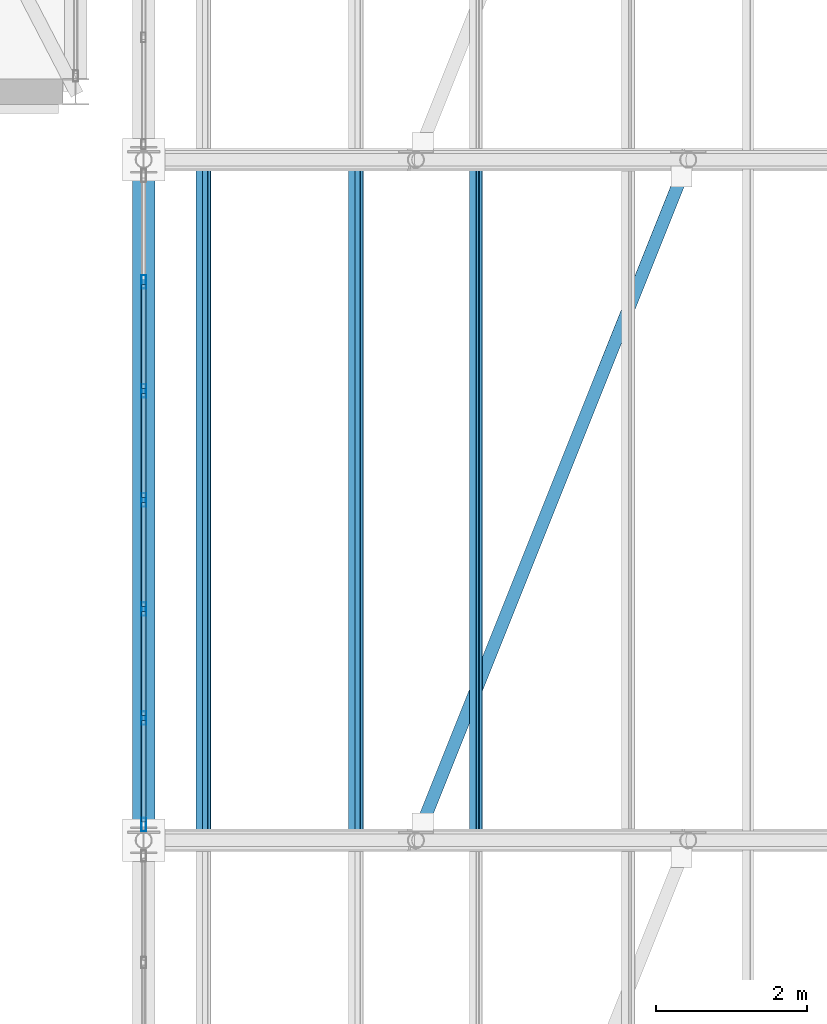
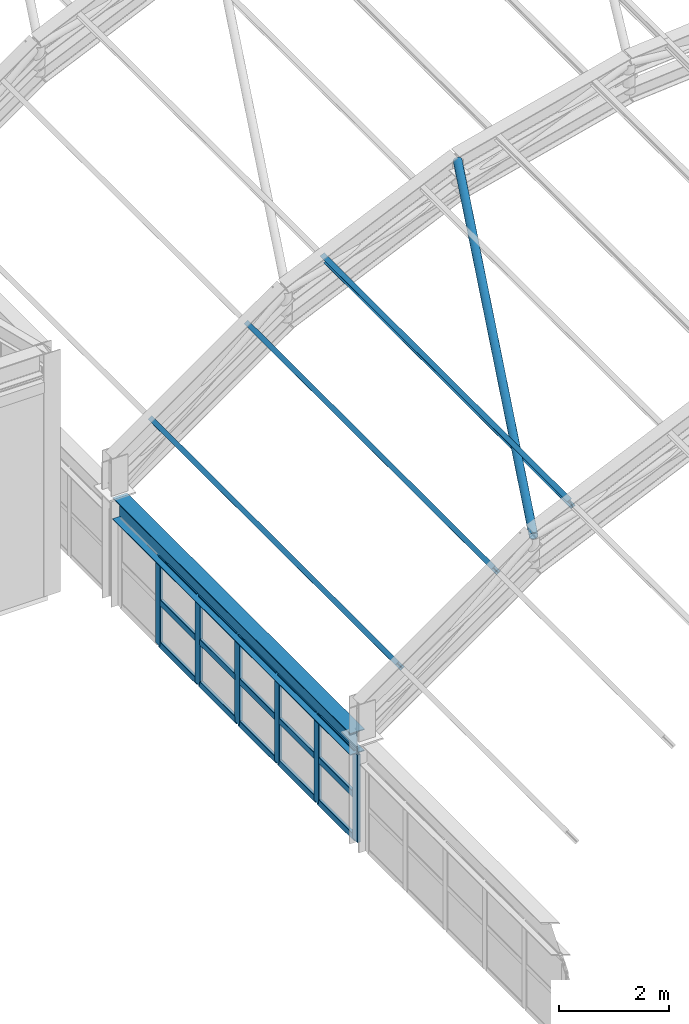
# One storey, part 46 of 121: 25 members, 1 beam, 1 element without a shape of its own.
"""IFC4 building model written with IfcOpenShell, lengths in metres."""

from ifc_helpers import new_model, si_unit, direction, frame, origin, origin_2d, place, context, subcontext, project, spatial, hollow_rectangle, hollow_circle, i_section, extrude, material, material_profile, profile_set, type_object, element, aggregate, save


model = new_model("IFC4")

# Units and contexts
model_context = context("Model", 3, precision=1e-05, world=origin(), true_north=direction((0.0, 1.0)))
body_context = subcontext(model_context, "Body", "Model", "MODEL_VIEW")
ifc_project = project(units=[si_unit("LENGTHUNIT", "METRE"), si_unit("AREAUNIT", "SQUARE_METRE"), si_unit("VOLUMEUNIT", "CUBIC_METRE"), si_unit("PLANEANGLEUNIT", "RADIAN"), si_unit("MASSUNIT", "GRAM", prefix="KILO")], contexts=[model_context])

# Site, building, storey
site_placement = place(None, origin())
site = spatial("IfcSite", under=ifc_project, at=site_placement, CompositionType="ELEMENT")
building_placement = place(site_placement, origin())
building = spatial("IfcBuilding", under=site, at=building_placement, Name="Canglan Escarpment Cableway Terminal", CompositionType="ELEMENT")
storey_placement = place(building_placement, frame((0.0, 0.0, 24.60009765625)))
storey = spatial("IfcBuildingStorey", under=building, at=storey_placement, Name="L05", CompositionType="ELEMENT", Elevation=24.60009765625)

# Beam
ifc_material_1 = material(Name="Steel Q355B", Category="steel")
ifc_material_profile_1 = material_profile(ifc_material_1, i_section(OverallWidth=0.300048828125, OverallDepth=0.488037109375, WebThickness=0.010986328125, FlangeThickness=0.01806640625, FilletRadius=0.02587890625, at=origin_2d()), Name="HM 488x300x11x18")
ifc_profile_set_1 = profile_set([ifc_material_profile_1], Name="Steel Q355B")
beam_type = type_object("IfcBeamType", Name="BM-HM488", PredefinedType="BEAM", material=ifc_profile_set_1)
beam_placement = place(storey_placement, frame((137.60009765625, 79.175048828125, 2.1884765625), z_axis=(0.0, 1.0, 0.0), x_axis=(-1.0, 0.0, 0.0)))
element("IfcBeam", 1, at=beam_placement, inside=storey, type_object=beam_type, Name="Vault springing ring girder B-09", PredefinedType="BEAM", context=body_context, shape_type="SweptSolid", body=[
    extrude(i_section(OverallWidth=0.300048828125, OverallDepth=0.488037109375, WebThickness=0.010986328125, FlangeThickness=0.01806640625, FilletRadius=0.02587890625, at=origin_2d()), origin(), (0.0, 0.0, 1.0), 8.64990234375),
])

# Curtain wall, members
ifc_material_2 = material(Name="Anodized bronze aluminium and Low-E double glazing", Category="aluminium")
curtain_wall_type = type_object("IfcCurtainWallType", Name="CW-BAY-8650x1950", PredefinedType="NOTDEFINED", material=ifc_material_2)
curtain_wall_placement = place(storey_placement, origin())
curtain_wall = element("IfcCurtainWall", 2, at=curtain_wall_placement, inside=storey, type_object=curtain_wall_type, Name="Classical bay-between-piers glazed curtain wall CW-66", PredefinedType="NOTDEFINED")
ifc_material_3 = material(Name="Thermally broken anodized aluminium 6063-T6", Category="aluminium")
ifc_material_profile_2 = material_profile(ifc_material_3, hollow_rectangle(XDim=0.06494140625, YDim=0.179931640625, WallThickness=0.00390625, InnerFilletRadius=0.00390625, OuterFilletRadius=0.008056640625, at=origin_2d()), Name="ALU-MULL 65x180x4")
ifc_profile_set_2 = profile_set([ifc_material_profile_2], Name="Thermally broken anodized aluminium 6063-T6")
member_type_1 = type_object("IfcMemberType", Name="CWM-03", PredefinedType="MULLION", material=ifc_profile_set_2)
member_1_placement = place(storey_placement, frame((137.60009765625, 86.38330078125, 0.0), z_axis=(0.0, 0.0, 1.0), x_axis=(1.0, 0.0, 0.0)))
member_1 = element("IfcMember", 3, at=member_1_placement, type_object=member_type_1, Name="CW-66 mullion 2", PredefinedType="MULLION", context=body_context, shape_type="SweptSolid", body=[
    extrude(hollow_rectangle(XDim=0.06494140625, YDim=0.179931640625, WallThickness=0.00390625, InnerFilletRadius=0.00390625, OuterFilletRadius=0.008056640625, at=origin_2d()), origin(), (0.0, 0.0, 1.0), 1.949951171875),
])
member_2_placement = place(storey_placement, frame((137.60009765625, 84.941650390625, 0.0), z_axis=(0.0, 0.0, 1.0), x_axis=(1.0, 0.0, 0.0)))
member_2 = element("IfcMember", 4, at=member_2_placement, type_object=member_type_1, Name="CW-66 mullion 3", PredefinedType="MULLION", context=body_context, shape_type="SweptSolid", body=[
    extrude(hollow_rectangle(XDim=0.06494140625, YDim=0.179931640625, WallThickness=0.00390625, InnerFilletRadius=0.00390625, OuterFilletRadius=0.008056640625, at=origin_2d()), origin(), (0.0, 0.0, 1.0), 1.949951171875),
])
member_3_placement = place(storey_placement, frame((137.60009765625, 83.5, 0.0), z_axis=(0.0, 0.0, 1.0), x_axis=(1.0, 0.0, 0.0)))
member_3 = element("IfcMember", 5, at=member_3_placement, type_object=member_type_1, Name="CW-66 mullion 4", PredefinedType="MULLION", context=body_context, shape_type="SweptSolid", body=[
    extrude(hollow_rectangle(XDim=0.06494140625, YDim=0.179931640625, WallThickness=0.00390625, InnerFilletRadius=0.00390625, OuterFilletRadius=0.008056640625, at=origin_2d()), origin(), (0.0, 0.0, 1.0), 1.949951171875),
])
member_4_placement = place(storey_placement, frame((137.60009765625, 82.058349609375, 0.0), z_axis=(0.0, 0.0, 1.0), x_axis=(1.0, 0.0, 0.0)))
member_4 = element("IfcMember", 6, at=member_4_placement, type_object=member_type_1, Name="CW-66 mullion 5", PredefinedType="MULLION", context=body_context, shape_type="SweptSolid", body=[
    extrude(hollow_rectangle(XDim=0.06494140625, YDim=0.179931640625, WallThickness=0.00390625, InnerFilletRadius=0.00390625, OuterFilletRadius=0.008056640625, at=origin_2d()), origin(), (0.0, 0.0, 1.0), 1.949951171875),
])
member_5_placement = place(storey_placement, frame((137.60009765625, 80.61669921875, 0.0), z_axis=(0.0, 0.0, 1.0), x_axis=(1.0, 0.0, 0.0)))
member_5 = element("IfcMember", 7, at=member_5_placement, type_object=member_type_1, Name="CW-66 mullion 6", PredefinedType="MULLION", context=body_context, shape_type="SweptSolid", body=[
    extrude(hollow_rectangle(XDim=0.06494140625, YDim=0.179931640625, WallThickness=0.00390625, InnerFilletRadius=0.00390625, OuterFilletRadius=0.008056640625, at=origin_2d()), origin(), (0.0, 0.0, 1.0), 1.949951171875),
])
member_6_placement = place(storey_placement, frame((137.60009765625, 79.20751953125, 0.0), z_axis=(0.0, 0.0, 1.0), x_axis=(1.0, 0.0, 0.0)))
member_6 = element("IfcMember", 8, at=member_6_placement, type_object=member_type_1, Name="CW-66 mullion 7", PredefinedType="MULLION", context=body_context, shape_type="SweptSolid", body=[
    extrude(hollow_rectangle(XDim=0.06494140625, YDim=0.179931640625, WallThickness=0.00390625, InnerFilletRadius=0.00390625, OuterFilletRadius=0.008056640625, at=origin_2d()), origin(), (0.0, 0.0, 1.0), 1.949951171875),
])
ifc_material_profile_3 = material_profile(ifc_material_3, hollow_rectangle(XDim=0.06494140625, YDim=0.139892578125, WallThickness=0.00341796875, InnerFilletRadius=0.00341796875, OuterFilletRadius=0.007080078125, at=origin_2d()), Name="ALU-TRAN 65x140x3.5")
ifc_profile_set_3 = profile_set([ifc_material_profile_3], Name="Thermally broken anodized aluminium 6063-T6")
member_type_2 = type_object("IfcMemberType", Name="CWT-03", PredefinedType="USERDEFINED", material=ifc_profile_set_3)
member_7_placement = place(storey_placement, frame((137.60009765625, 86.350830078125, 0.032470703125), z_axis=(0.0, -1.0, 0.0), x_axis=(1.0, 0.0, 0.0)))
member_7 = element("IfcMember", 9, at=member_7_placement, type_object=member_type_2, Name="CW-66 transom 2.1", ObjectType="TRANSOM", PredefinedType="USERDEFINED", context=body_context, shape_type="SweptSolid", body=[
    extrude(hollow_rectangle(XDim=0.06494140625, YDim=0.139892578125, WallThickness=0.00341796875, InnerFilletRadius=0.00341796875, OuterFilletRadius=0.007080078125, at=origin_2d()), origin(), (0.0, 0.0, 1.0), 1.376708984375),
])
member_8_placement = place(storey_placement, frame((137.60009765625, 86.350830078125, 0.974853515625), z_axis=(0.0, -1.0, 0.0), x_axis=(1.0, 0.0, 0.0)))
member_8 = element("IfcMember", 10, at=member_8_placement, type_object=member_type_2, Name="CW-66 transom 2.2", ObjectType="TRANSOM", PredefinedType="USERDEFINED", context=body_context, shape_type="SweptSolid", body=[
    extrude(hollow_rectangle(XDim=0.06494140625, YDim=0.139892578125, WallThickness=0.00341796875, InnerFilletRadius=0.00341796875, OuterFilletRadius=0.007080078125, at=origin_2d()), origin(), (0.0, 0.0, 1.0), 1.376708984375),
])
member_9_placement = place(storey_placement, frame((137.60009765625, 86.350830078125, 1.91748046875), z_axis=(0.0, -1.0, 0.0), x_axis=(1.0, 0.0, 0.0)))
member_9 = element("IfcMember", 11, at=member_9_placement, type_object=member_type_2, Name="CW-66 transom 2.3", ObjectType="TRANSOM", PredefinedType="USERDEFINED", context=body_context, shape_type="SweptSolid", body=[
    extrude(hollow_rectangle(XDim=0.06494140625, YDim=0.139892578125, WallThickness=0.00341796875, InnerFilletRadius=0.00341796875, OuterFilletRadius=0.007080078125, at=origin_2d()), origin(), (0.0, 0.0, 1.0), 1.376708984375),
])
member_10_placement = place(storey_placement, frame((137.60009765625, 84.9091796875, 0.032470703125), z_axis=(0.0, -1.0, 0.0), x_axis=(1.0, 0.0, 0.0)))
member_10 = element("IfcMember", 12, at=member_10_placement, type_object=member_type_2, Name="CW-66 transom 3.1", ObjectType="TRANSOM", PredefinedType="USERDEFINED", context=body_context, shape_type="SweptSolid", body=[
    extrude(hollow_rectangle(XDim=0.06494140625, YDim=0.139892578125, WallThickness=0.00341796875, InnerFilletRadius=0.00341796875, OuterFilletRadius=0.007080078125, at=origin_2d()), origin(), (0.0, 0.0, 1.0), 1.376708984375),
])
member_11_placement = place(storey_placement, frame((137.60009765625, 84.9091796875, 0.974853515625), z_axis=(0.0, -1.0, 0.0), x_axis=(1.0, 0.0, 0.0)))
member_11 = element("IfcMember", 13, at=member_11_placement, type_object=member_type_2, Name="CW-66 transom 3.2", ObjectType="TRANSOM", PredefinedType="USERDEFINED", context=body_context, shape_type="SweptSolid", body=[
    extrude(hollow_rectangle(XDim=0.06494140625, YDim=0.139892578125, WallThickness=0.00341796875, InnerFilletRadius=0.00341796875, OuterFilletRadius=0.007080078125, at=origin_2d()), origin(), (0.0, 0.0, 1.0), 1.376708984375),
])
member_12_placement = place(storey_placement, frame((137.60009765625, 84.9091796875, 1.91748046875), z_axis=(0.0, -1.0, 0.0), x_axis=(1.0, 0.0, 0.0)))
member_12 = element("IfcMember", 14, at=member_12_placement, type_object=member_type_2, Name="CW-66 transom 3.3", ObjectType="TRANSOM", PredefinedType="USERDEFINED", context=body_context, shape_type="SweptSolid", body=[
    extrude(hollow_rectangle(XDim=0.06494140625, YDim=0.139892578125, WallThickness=0.00341796875, InnerFilletRadius=0.00341796875, OuterFilletRadius=0.007080078125, at=origin_2d()), origin(), (0.0, 0.0, 1.0), 1.376708984375),
])
member_13_placement = place(storey_placement, frame((137.60009765625, 83.467529296875, 0.032470703125), z_axis=(0.0, -1.0, 0.0), x_axis=(1.0, 0.0, 0.0)))
member_13 = element("IfcMember", 15, at=member_13_placement, type_object=member_type_2, Name="CW-66 transom 4.1", ObjectType="TRANSOM", PredefinedType="USERDEFINED", context=body_context, shape_type="SweptSolid", body=[
    extrude(hollow_rectangle(XDim=0.06494140625, YDim=0.139892578125, WallThickness=0.00341796875, InnerFilletRadius=0.00341796875, OuterFilletRadius=0.007080078125, at=origin_2d()), origin(), (0.0, 0.0, 1.0), 1.376708984375),
])
member_14_placement = place(storey_placement, frame((137.60009765625, 83.467529296875, 0.974853515625), z_axis=(0.0, -1.0, 0.0), x_axis=(1.0, 0.0, 0.0)))
member_14 = element("IfcMember", 16, at=member_14_placement, type_object=member_type_2, Name="CW-66 transom 4.2", ObjectType="TRANSOM", PredefinedType="USERDEFINED", context=body_context, shape_type="SweptSolid", body=[
    extrude(hollow_rectangle(XDim=0.06494140625, YDim=0.139892578125, WallThickness=0.00341796875, InnerFilletRadius=0.00341796875, OuterFilletRadius=0.007080078125, at=origin_2d()), origin(), (0.0, 0.0, 1.0), 1.376708984375),
])
member_15_placement = place(storey_placement, frame((137.60009765625, 83.467529296875, 1.91748046875), z_axis=(0.0, -1.0, 0.0), x_axis=(1.0, 0.0, 0.0)))
member_15 = element("IfcMember", 17, at=member_15_placement, type_object=member_type_2, Name="CW-66 transom 4.3", ObjectType="TRANSOM", PredefinedType="USERDEFINED", context=body_context, shape_type="SweptSolid", body=[
    extrude(hollow_rectangle(XDim=0.06494140625, YDim=0.139892578125, WallThickness=0.00341796875, InnerFilletRadius=0.00341796875, OuterFilletRadius=0.007080078125, at=origin_2d()), origin(), (0.0, 0.0, 1.0), 1.376708984375),
])
member_16_placement = place(storey_placement, frame((137.60009765625, 82.02587890625, 0.032470703125), z_axis=(0.0, -1.0, 0.0), x_axis=(1.0, 0.0, 0.0)))
member_16 = element("IfcMember", 18, at=member_16_placement, type_object=member_type_2, Name="CW-66 transom 5.1", ObjectType="TRANSOM", PredefinedType="USERDEFINED", context=body_context, shape_type="SweptSolid", body=[
    extrude(hollow_rectangle(XDim=0.06494140625, YDim=0.139892578125, WallThickness=0.00341796875, InnerFilletRadius=0.00341796875, OuterFilletRadius=0.007080078125, at=origin_2d()), origin(), (0.0, 0.0, 1.0), 1.376708984375),
])
member_17_placement = place(storey_placement, frame((137.60009765625, 82.02587890625, 0.974853515625), z_axis=(0.0, -1.0, 0.0), x_axis=(1.0, 0.0, 0.0)))
member_17 = element("IfcMember", 19, at=member_17_placement, type_object=member_type_2, Name="CW-66 transom 5.2", ObjectType="TRANSOM", PredefinedType="USERDEFINED", context=body_context, shape_type="SweptSolid", body=[
    extrude(hollow_rectangle(XDim=0.06494140625, YDim=0.139892578125, WallThickness=0.00341796875, InnerFilletRadius=0.00341796875, OuterFilletRadius=0.007080078125, at=origin_2d()), origin(), (0.0, 0.0, 1.0), 1.376708984375),
])
member_18_placement = place(storey_placement, frame((137.60009765625, 82.02587890625, 1.91748046875), z_axis=(0.0, -1.0, 0.0), x_axis=(1.0, 0.0, 0.0)))
member_18 = element("IfcMember", 20, at=member_18_placement, type_object=member_type_2, Name="CW-66 transom 5.3", ObjectType="TRANSOM", PredefinedType="USERDEFINED", context=body_context, shape_type="SweptSolid", body=[
    extrude(hollow_rectangle(XDim=0.06494140625, YDim=0.139892578125, WallThickness=0.00341796875, InnerFilletRadius=0.00341796875, OuterFilletRadius=0.007080078125, at=origin_2d()), origin(), (0.0, 0.0, 1.0), 1.376708984375),
])
member_19_placement = place(storey_placement, frame((137.60009765625, 80.584228515625, 0.032470703125), z_axis=(0.0, -1.0, 0.0), x_axis=(1.0, 0.0, 0.0)))
member_19 = element("IfcMember", 21, at=member_19_placement, type_object=member_type_2, Name="CW-66 transom 6.1", ObjectType="TRANSOM", PredefinedType="USERDEFINED", context=body_context, shape_type="SweptSolid", body=[
    extrude(hollow_rectangle(XDim=0.06494140625, YDim=0.139892578125, WallThickness=0.00341796875, InnerFilletRadius=0.00341796875, OuterFilletRadius=0.007080078125, at=origin_2d()), origin(), (0.0, 0.0, 1.0), 1.34423828125),
])
member_20_placement = place(storey_placement, frame((137.60009765625, 80.584228515625, 0.974853515625), z_axis=(0.0, -1.0, 0.0), x_axis=(1.0, 0.0, 0.0)))
member_20 = element("IfcMember", 22, at=member_20_placement, type_object=member_type_2, Name="CW-66 transom 6.2", ObjectType="TRANSOM", PredefinedType="USERDEFINED", context=body_context, shape_type="SweptSolid", body=[
    extrude(hollow_rectangle(XDim=0.06494140625, YDim=0.139892578125, WallThickness=0.00341796875, InnerFilletRadius=0.00341796875, OuterFilletRadius=0.007080078125, at=origin_2d()), origin(), (0.0, 0.0, 1.0), 1.34423828125),
])
member_21_placement = place(storey_placement, frame((137.60009765625, 80.584228515625, 1.91748046875), z_axis=(0.0, -1.0, 0.0), x_axis=(1.0, 0.0, 0.0)))
member_21 = element("IfcMember", 23, at=member_21_placement, type_object=member_type_2, Name="CW-66 transom 6.3", ObjectType="TRANSOM", PredefinedType="USERDEFINED", context=body_context, shape_type="SweptSolid", body=[
    extrude(hollow_rectangle(XDim=0.06494140625, YDim=0.139892578125, WallThickness=0.00341796875, InnerFilletRadius=0.00341796875, OuterFilletRadius=0.007080078125, at=origin_2d()), origin(), (0.0, 0.0, 1.0), 1.34423828125),
])
aggregate(curtain_wall, [member_1, member_2, member_3, member_4, member_5, member_6, member_7, member_8, member_9, member_10, member_11, member_12, member_13, member_14, member_15, member_16, member_17, member_18, member_19, member_20, member_21])

# Members
ifc_material_profile_4 = material_profile(ifc_material_1, hollow_circle(Radius=0.084228515625, WallThickness=0.006103515625, at=origin_2d()), Name="CHS 168.3x6")
ifc_profile_set_4 = profile_set([ifc_material_profile_4], Name="Steel Q355B")
member_type_3 = type_object("IfcMemberType", Name="MB-ROOF-BR-CHS168", PredefinedType="BRACE", material=ifc_profile_set_4)
member_22_placement = place(storey_placement, frame((141.199951171875, 79.0, 5.616455078125), z_axis=(0.366307573698, 0.915744093096, 0.165019748547), x_axis=(-0.928473216852, 0.37139936132, 0.0)))
element("IfcMember", 24, at=member_22_placement, inside=storey, type_object=member_type_3, Name="Vault roof plane wind brace BR-03", PredefinedType="BRACE", context=body_context, shape_type="SweptSolid", body=[
    extrude(hollow_circle(Radius=0.084228515625, WallThickness=0.006103515625, at=origin_2d()), origin(), (0.0, 0.0, 1.0), 9.828125),
])
ifc_material_profile_5 = material_profile(ifc_material_1, i_section(OverallWidth=0.10009765625, OverallDepth=0.199951171875, WebThickness=0.005615234375, FlangeThickness=0.008056640625, FilletRadius=0.010986328125, at=origin_2d()), Name="HN 200x100x5.5x8")
ifc_profile_set_5 = profile_set([ifc_material_profile_5], Name="Steel Q355B")
member_type_4 = type_object("IfcMemberType", Name="MB-VAULT-PUR-HN200", PredefinedType="PURLIN", material=ifc_profile_set_5)
for number, where, z_axis, x_axis, name in (
    (25, (138.39208984375, 79.0, 3.712890625), (0.0, 1.0, 0.0), (-0.817727996784, 0.0, -0.575604832568), "Barrel-vault roof purlin PR-01"),
    (26, (140.407958984375, 79.0, 5.1318359375), (0.0, 1.0, 0.0), (-0.817727996784, 0.0, -0.575604832568), "Barrel-vault roof purlin PR-01"),
    (27, (141.991943359375, 79.0, 6.059814453125), (0.0, 1.0, 0.0), (-0.911740537138, 0.0, -0.410766591799), "Barrel-vault roof purlin PR-01"),
):
    element("IfcMember", number, at=place(storey_placement, frame(where, z_axis=z_axis, x_axis=x_axis)), inside=storey, type_object=member_type_4, Name=name, PredefinedType="PURLIN", context=body_context, shape_type="SweptSolid", body=[
        extrude(i_section(OverallWidth=0.10009765625, OverallDepth=0.199951171875, WebThickness=0.005615234375, FlangeThickness=0.008056640625, FilletRadius=0.010986328125, at=origin_2d()), origin(), (0.0, 0.0, 1.0), 9.0),
    ])

save(model, "model.ifc")
